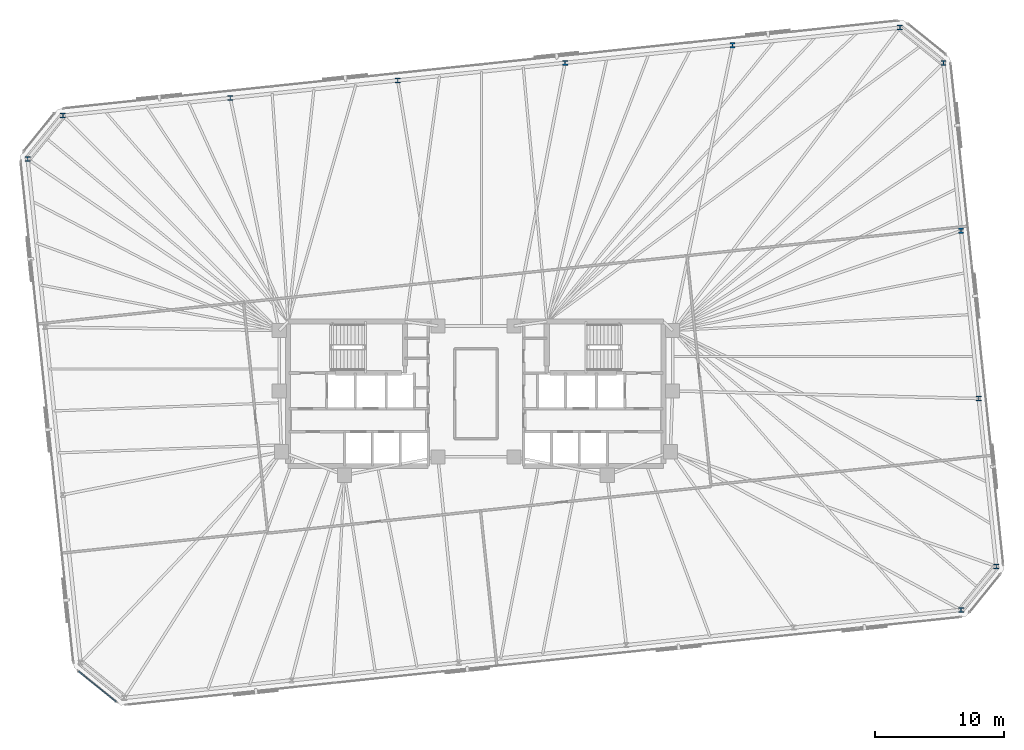
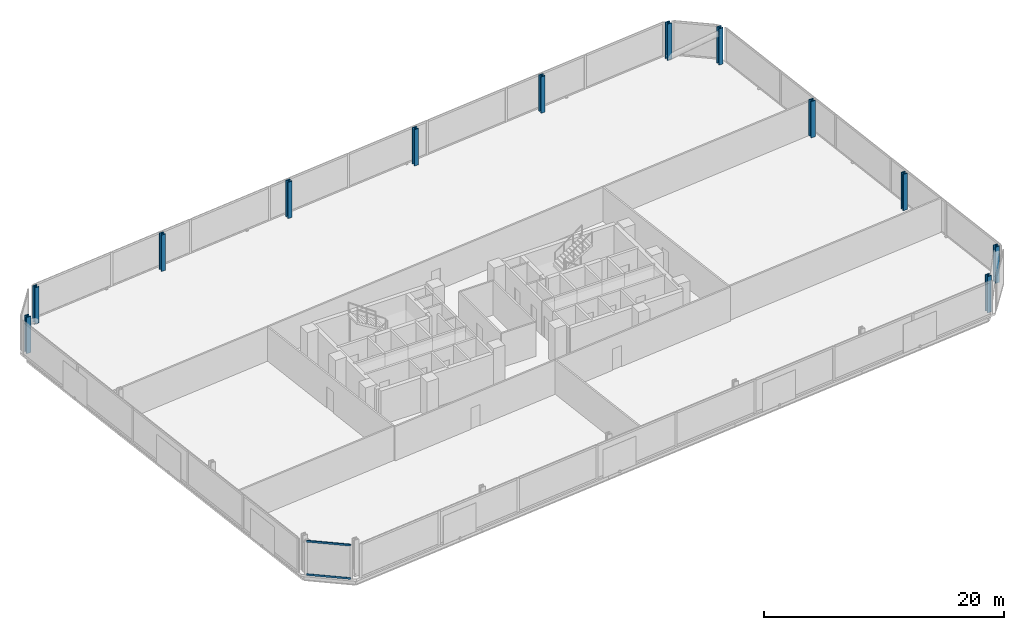
# One storey, part 5 of 17: 12 columns, 2 members, 1 element without a shape of its own.
"""IFC4 building model written with IfcOpenShell, lengths in metres."""

from ifc_helpers import new_model, si_unit, direction, frame, origin, origin_2d, place, context, subcontext, project, spatial, rectangle, i_section, extrude, material, material_profile, profile_set, type_object, element, aggregate, save


model = new_model("IFC4")

# Units and contexts
model_context = context("Model", 3, precision=1e-05, world=origin(), true_north=direction((0.0, 1.0)))
body_context = subcontext(model_context, "Body", "Model", "MODEL_VIEW")
ifc_project = project(units=[si_unit("LENGTHUNIT", "METRE"), si_unit("AREAUNIT", "SQUARE_METRE"), si_unit("VOLUMEUNIT", "CUBIC_METRE"), si_unit("PLANEANGLEUNIT", "RADIAN"), si_unit("MASSUNIT", "GRAM", prefix="KILO")], contexts=[model_context])

# Site, building, storey
site_placement = place(None, origin())
site = spatial("IfcSite", under=ifc_project, at=site_placement, CompositionType="ELEMENT")
building_placement = place(site_placement, origin())
building = spatial("IfcBuilding", under=site, at=building_placement, Name="Menara Jurai Vektor", CompositionType="ELEMENT")
storey_placement = place(building_placement, frame((0.0, 0.0, 87.39990234375)))
storey = spatial("IfcBuildingStorey", under=building, at=storey_placement, Name="L21", CompositionType="ELEMENT", Elevation=87.39990234375)

# Columns
ifc_material_1 = material(Name="Steel S460", Category="steel")
ifc_material_profile_1 = material_profile(ifc_material_1, i_section(OverallWidth=0.4130859375, OverallDepth=0.39794921875, WebThickness=0.055908203125, FlangeThickness=0.089111328125, FilletRadius=0.014892578125, at=origin_2d()), Name="HD 400x744")
ifc_profile_set_1 = profile_set([ifc_material_profile_1], Name="Steel S460")
column_type = type_object("IfcColumnType", Name="STR-EXO-BLK2", PredefinedType="COLUMN", material=ifc_profile_set_1)
for number, where, z_axis, x_axis, name in (
    (1, (37.621826171875, -16.76513671875, 0.0), (0.0, 0.0, 1.0), (1.0, 0.0, 0.0), "Exoskeleton Column BLK2-S6 L21"),
    (2, (40.356201171875, -13.388671875, 0.0), (0.0, 0.0, 1.0), (1.0, 0.0, 0.0), "Exoskeleton Column BLK2-E1 L21"),
    (3, (38.98828125, -0.375, 0.0), (0.0, 0.0, 1.0), (1.0, 0.0, 0.0), "Exoskeleton Column BLK2-E2 L21"),
    (4, (37.62060546875, 12.638427734375, 0.0), (0.0, 0.0, 1.0), (1.0, 0.0, 0.0), "Exoskeleton Column BLK2-E3 L21"),
    (5, (36.252685546875, 25.65185546875, 0.0), (0.0, 0.0, 1.0), (1.0, 0.0, 0.0), "Exoskeleton Column BLK2-E4 L21"),
    (6, (32.876220703125, 28.38623046875, 0.0), (0.0, 0.0, 1.0), (1.0, 0.0, 0.0), "Exoskeleton Column BLK2-N1 L21"),
    (7, (19.896728515625, 27.02197265625, 0.0), (0.0, 0.0, 1.0), (1.0, 0.0, 0.0), "Exoskeleton Column BLK2-N2 L21"),
    (8, (6.9169921875, 25.65771484375, 0.0), (0.0, 0.0, 1.0), (1.0, 0.0, 0.0), "Exoskeleton Column BLK2-N3 L21"),
    (9, (-6.0625, 24.29345703125, 0.0), (0.0, 0.0, 1.0), (1.0, 0.0, 0.0), "Exoskeleton Column BLK2-N4 L21"),
    (10, (-19.042236328125, 22.929443359375, 0.0), (0.0, 0.0, 1.0), (1.0, 0.0, 0.0), "Exoskeleton Column BLK2-N5 L21"),
    (11, (-32.02197265625, 21.565185546875, 0.0), (0.0, 0.0, 1.0), (1.0, 0.0, 0.0), "Exoskeleton Column BLK2-N6 L21"),
    (12, (-34.756103515625, 18.188720703125, 0.0), (0.0, 0.0, 1.0), (1.0, 0.0, 0.0), "Exoskeleton Column BLK2-W1 L21"),
):
    element("IfcColumn", number, at=place(storey_placement, frame(where, z_axis=z_axis, x_axis=x_axis)), inside=storey, type_object=column_type, Name=name, PredefinedType="COLUMN", context=body_context, shape_type="SweptSolid", body=[
        extrude(i_section(OverallWidth=0.4130859375, OverallDepth=0.39794921875, WebThickness=0.055908203125, FlangeThickness=0.089111328125, FilletRadius=0.014892578125, at=origin_2d()), origin(), (0.0, 0.0, 1.0), 3.7001953125),
    ])

# Curtain wall, members
ifc_material_2 = material(Name="Anodised Pale Aluminium & Low-E Double Glazing", Category="aluminium")
curtain_wall_type = type_object("IfcCurtainWallType", Name="CW-BLK2", PredefinedType="NOTDEFINED", material=ifc_material_2)
curtain_wall_placement = place(storey_placement, origin())
curtain_wall = element("IfcCurtainWall", 13, at=curtain_wall_placement, inside=storey, type_object=curtain_wall_type, Name="Unitised Curtain Wall L21 F08", PredefinedType="NOTDEFINED")
ifc_material_3 = material(Name="Anodised Pale Aluminium Transom", Category="aluminium")
ifc_material_profile_2 = material_profile(ifc_material_3, rectangle(XDim=0.090087890625, YDim=0.18505859375, at=origin_2d()), Name="ALU TRN 90x185")
ifc_profile_set_2 = profile_set([ifc_material_profile_2], Name="Anodised Pale Aluminium Transom")
member_type = type_object("IfcMemberType", Name="CW-BLK2-TRN", PredefinedType="USERDEFINED", material=ifc_profile_set_2)
member_1_placement = place(storey_placement, frame((-30.80078125, -21.525634765625, 0.045166015625), z_axis=(0.777128916205, -0.6293414396, 0.0), x_axis=(0.6293414396, 0.777128916205, 0.0)))
member_1 = element("IfcMember", 14, at=member_1_placement, type_object=member_type, Name="CW-02 transom 1.1", ObjectType="TRANSOM", PredefinedType="USERDEFINED", context=body_context, shape_type="SweptSolid", body=[
    extrude(rectangle(XDim=0.090087890625, YDim=0.18505859375, at=origin_2d()), origin(), (0.0, 0.0, 1.0), 3.726806640625),
])
member_2_placement = place(storey_placement, frame((-30.80078125, -21.525634765625, 3.43017578125), z_axis=(0.777128916205, -0.6293414396, 0.0), x_axis=(0.6293414396, 0.777128916205, 0.0)))
member_2 = element("IfcMember", 15, at=member_2_placement, type_object=member_type, Name="CW-02 transom 1.2", ObjectType="TRANSOM", PredefinedType="USERDEFINED", context=body_context, shape_type="SweptSolid", body=[
    extrude(rectangle(XDim=0.090087890625, YDim=0.18505859375, at=origin_2d()), origin(), (0.0, 0.0, 1.0), 3.726806640625),
])
aggregate(curtain_wall, [member_1, member_2])

save(model, "model.ifc")
